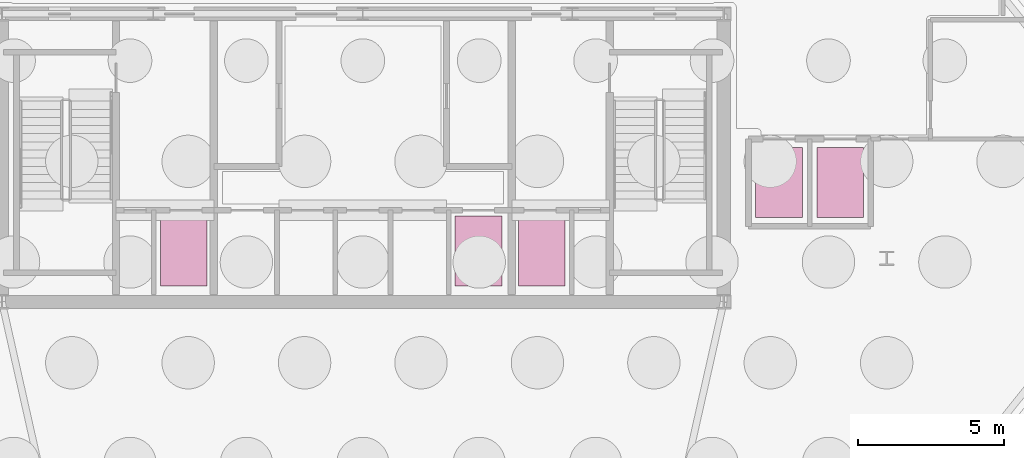
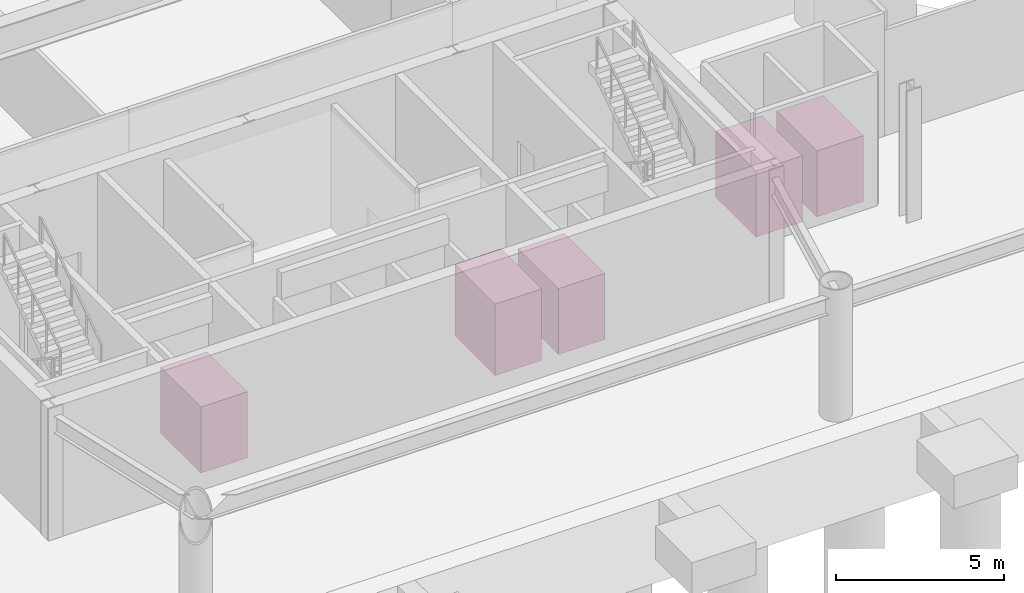
# One storey, part 8 of 8: 5 transport elements.
"""IFC4 building model written with IfcOpenShell, lengths in metres."""

from ifc_helpers import new_model, si_unit, direction, frame, origin, origin_2d, place, context, subcontext, project, spatial, rectangle, extrude, material, type_object, element, save


model = new_model("IFC4")

# Units and contexts
model_context = context("Model", 3, precision=1e-05, world=origin(), true_north=direction((0.0, 1.0)))
body_context = subcontext(model_context, "Body", "Model", "MODEL_VIEW")
ifc_project = project(units=[si_unit("LENGTHUNIT", "METRE"), si_unit("AREAUNIT", "SQUARE_METRE"), si_unit("VOLUMEUNIT", "CUBIC_METRE"), si_unit("PLANEANGLEUNIT", "RADIAN"), si_unit("MASSUNIT", "GRAM", prefix="KILO")], contexts=[model_context])

# Site, building, storey
site_placement = place(None, origin())
site = spatial("IfcSite", under=ifc_project, at=site_placement, CompositionType="ELEMENT")
building_placement = place(site_placement, origin())
building = spatial("IfcBuilding", under=site, at=building_placement, Name="Talgorran Terracotta Tower", CompositionType="ELEMENT")
storey_placement = place(building_placement, frame((0.0, 0.0, -4.800048828125)))
storey = spatial("IfcBuildingStorey", under=building, at=storey_placement, Name="B1", CompositionType="ELEMENT", Elevation=-4.800048828125)

# Transport elements
ifc_material_1 = material(Name="Stainless Steel Lift Assembly", Category="steel")
transport_element_type_1 = type_object("IfcTransportElementType", Name="LIFT_CLINIC_2400", PredefinedType="ELEVATOR", material=ifc_material_1)
for number, where, z_axis, x_axis, name in (
    (1, (14.300048828125, -10.0, 0.0), (0.0, 0.0, 1.0), (1.0, 0.0, 0.0), "Health Podium Lift HL-1"),
    (2, (16.39990234375, -10.0, 0.0), (0.0, 0.0, 1.0), (1.0, 0.0, 0.0), "Health Podium Lift HL-2"),
):
    element("IfcTransportElement", number, at=place(storey_placement, frame(where, z_axis=z_axis, x_axis=x_axis)), inside=storey, type_object=transport_element_type_1, Name=name, PredefinedType="ELEVATOR", context=body_context, shape_type="SweptSolid", body=[
        extrude(rectangle(XDim=1.60009765625, YDim=2.39990234375, at=origin_2d()), origin(), (0.0, 0.0, 1.0), 2.39990234375),
    ])
transport_element_type_2 = type_object("IfcTransportElementType", Name="LIFT_FIREFIGHTING_2400", PredefinedType="ELEVATOR", material=ifc_material_1)
for number, where, z_axis, x_axis, name in (
    (3, (-6.14990234375, -12.35009765625, 0.0), (0.0, 0.0, 1.0), (1.0, 0.0, 0.0), "Emergency Firefighting Lift FFL-1"),
    (4, (6.14990234375, -12.35009765625, 0.0), (0.0, 0.0, 1.0), (1.0, 0.0, 0.0), "Emergency Firefighting Lift FFL-2"),
):
    element("IfcTransportElement", number, at=place(storey_placement, frame(where, z_axis=z_axis, x_axis=x_axis)), inside=storey, type_object=transport_element_type_2, Name=name, PredefinedType="ELEVATOR", context=body_context, shape_type="SweptSolid", body=[
        extrude(rectangle(XDim=1.60009765625, YDim=2.39990234375, at=origin_2d()), origin(), (0.0, 0.0, 1.0), 2.39990234375),
    ])
ifc_material_2 = material(Name="Heavy-Duty Stainless Steel", Category="steel")
transport_element_type_3 = type_object("IfcTransportElementType", Name="LIFT_SERVICE_2400", PredefinedType="ELEVATOR", material=ifc_material_2)
transport_element_placement = place(storey_placement, frame((3.97509765625, -12.35009765625, 0.0), z_axis=(0.0, 0.0, 1.0), x_axis=(1.0, 0.0, 0.0)))
element("IfcTransportElement", 5, at=transport_element_placement, inside=storey, type_object=transport_element_type_3, Name="Goods and Service Lift SVL-1", PredefinedType="ELEVATOR", context=body_context, shape_type="SweptSolid", body=[
    extrude(rectangle(XDim=1.60009765625, YDim=2.39990234375, at=origin_2d()), origin(), (0.0, 0.0, 1.0), 2.60009765625),
])

save(model, "model.ifc")
